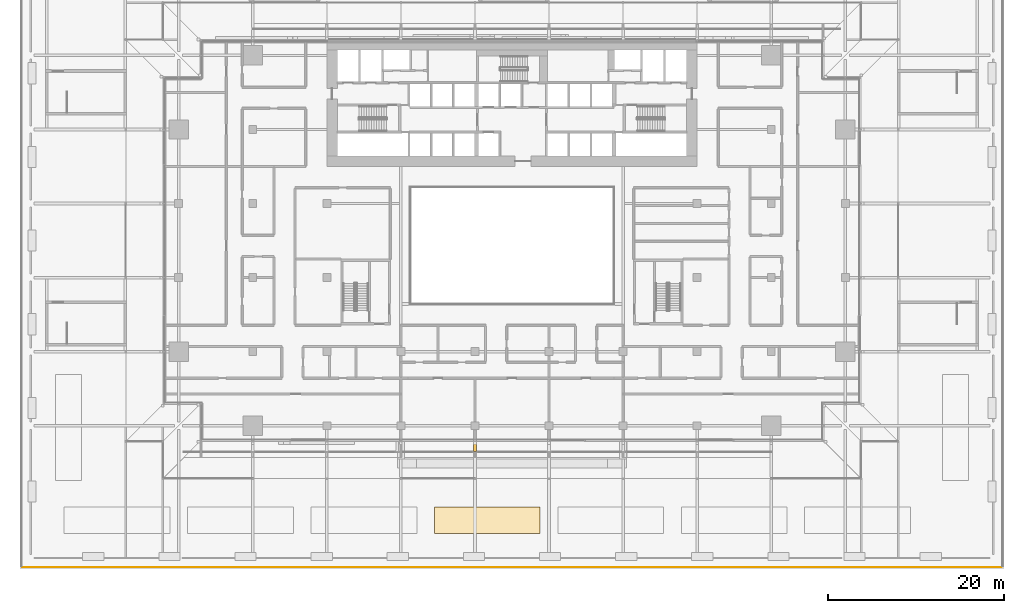
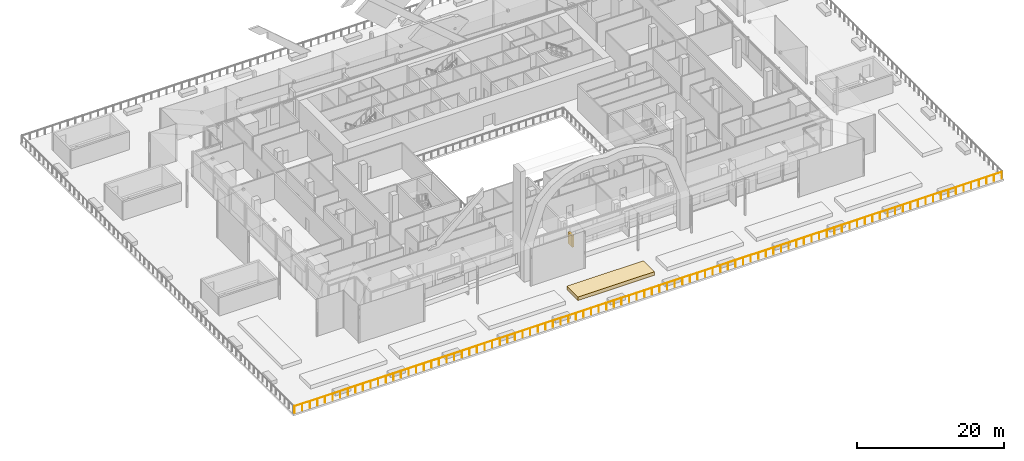
# One storey, part 34 of 60: 2 coverings, 1 railing.
"""IFC4 building model written with IfcOpenShell, lengths in metres."""

from ifc_helpers import new_model, si_unit, direction, frame, origin, origin_2d, place, context, subcontext, project, spatial, polyline, rectangle, circle, outline, extrude, material, layer, layer_set, type_object, element, save


model = new_model("IFC4")

# Units and contexts
model_context = context("Model", 3, precision=1e-05, world=origin(), true_north=direction((0.0, 1.0)))
body_context = subcontext(model_context, "Body", "Model", "MODEL_VIEW")
ifc_project = project(units=[si_unit("LENGTHUNIT", "METRE"), si_unit("AREAUNIT", "SQUARE_METRE"), si_unit("VOLUMEUNIT", "CUBIC_METRE"), si_unit("PLANEANGLEUNIT", "RADIAN"), si_unit("MASSUNIT", "GRAM", prefix="KILO")], contexts=[model_context])

# Site, building, storey
site_placement = place(None, origin())
site = spatial("IfcSite", under=ifc_project, at=site_placement, CompositionType="ELEMENT")
building_placement = place(site_placement, origin())
building = spatial("IfcBuilding", under=site, at=building_placement, Name="Saffron Gate Tower", CompositionType="ELEMENT")
storey_placement = place(building_placement, frame((0.0, 0.0, 19.199951171875)))
storey = spatial("IfcBuildingStorey", under=building, at=storey_placement, Name="L03", CompositionType="ELEMENT", Elevation=19.199951171875)

# Coverings
ifc_material_1 = material(Name="Timber, thermally modified ash", Category="wood")
ifc_layer_1 = layer(ifc_material_1, 0.300048828125)
ifc_layer_set_1 = layer_set([ifc_layer_1], Name="LD3 ledge riser fin")
covering_type_1 = type_object("IfcCoveringType", Name="LD3 ledge riser fin", PredefinedType="CLADDING", material=ifc_layer_set_1)
covering_1_placement = place(storey_placement, frame((83.39990234375, 29.43994140625, 1.626220703125), z_axis=(0.0, 0.0, 1.0), x_axis=(1.0, 0.0, 0.0)))
element("IfcCovering", 1, at=covering_1_placement, inside=storey, type_object=covering_type_1, Name="LEDGE riser fin", PredefinedType="CLADDING", context=body_context, shape_type="SweptSolid", body=[
    extrude(rectangle(XDim=0.300048828125, YDim=1.1201171875, at=origin_2d()), origin(), (0.0, 0.0, 1.0), 1.93115234375),
])
ifc_material_2 = material(Name="Planted soil bed in timber kerb", Category="wood")
ifc_layer_2 = layer(ifc_material_2, 0.60009765625)
ifc_layer_set_2 = layer_set([ifc_layer_2], Name="PL2 planted bed")
covering_type_2 = type_object("IfcCoveringType", Name="PL2 planted bed", PredefinedType="CLADDING", material=ifc_layer_set_2)
covering_2_placement = place(storey_placement, origin())
element("IfcCovering", 2, at=covering_2_placement, inside=storey, type_object=covering_type_2, Name="PLANTED BED play deck", PredefinedType="CLADDING", context=body_context, shape_type="SweptSolid", body=[
    extrude(outline(polyline([(78.800048828125, 19.60009765625), (90.800048828125, 19.60009765625), (90.800048828125, 22.60009765625), (78.800048828125, 22.60009765625), (78.800048828125, 19.60009765625)])), origin(), (0.0, 0.0, 1.0), 0.60009765625),
])

# Railing
railing_placement = place(storey_placement, frame((32.070068359375, 15.75, 0.0)))
element("IfcRailing", 3, at=railing_placement, inside=storey, Name="GUARD play deck", PredefinedType="GUARDRAIL", context=body_context, shape_type="SweptSolid", body=[
    extrude(circle(Radius=0.02392578125, at=origin_2d()), frame((0.0, 0.0, 1.17578125), z_axis=(1.0, 0.0, 0.0), x_axis=(0.0, 1.0, 0.0)), (0.0, 0.0, 1.0), 111.059814453125),
    extrude(circle(Radius=0.02099609375, at=origin_2d()), origin(), (0.0, 0.0, 1.0), 1.15185546875),
    extrude(circle(Radius=0.02099609375, at=origin_2d()), frame((1.194091796875, 0.0, 0.0)), (0.0, 0.0, 1.0), 1.15185546875),
    extrude(circle(Radius=0.02099609375, at=origin_2d()), frame((2.388427734375, 0.0, 0.0)), (0.0, 0.0, 1.0), 1.15185546875),
    extrude(circle(Radius=0.02099609375, at=origin_2d()), frame((3.58251953125, 0.0, 0.0)), (0.0, 0.0, 1.0), 1.15185546875),
    extrude(circle(Radius=0.02099609375, at=origin_2d()), frame((4.77685546875, 0.0, 0.0)), (0.0, 0.0, 1.0), 1.15185546875),
    extrude(circle(Radius=0.02099609375, at=origin_2d()), frame((5.970947265625, 0.0, 0.0)), (0.0, 0.0, 1.0), 1.15185546875),
    extrude(circle(Radius=0.02099609375, at=origin_2d()), frame((7.1650390625, 0.0, 0.0)), (0.0, 0.0, 1.0), 1.15185546875),
    extrude(circle(Radius=0.02099609375, at=origin_2d()), frame((8.359375, 0.0, 0.0)), (0.0, 0.0, 1.0), 1.15185546875),
    extrude(circle(Radius=0.02099609375, at=origin_2d()), frame((9.553466796875, 0.0, 0.0)), (0.0, 0.0, 1.0), 1.15185546875),
    extrude(circle(Radius=0.02099609375, at=origin_2d()), frame((10.747802734375, 0.0, 0.0)), (0.0, 0.0, 1.0), 1.15185546875),
    extrude(circle(Radius=0.02099609375, at=origin_2d()), frame((11.94189453125, 0.0, 0.0)), (0.0, 0.0, 1.0), 1.15185546875),
    extrude(circle(Radius=0.02099609375, at=origin_2d()), frame((13.135986328125, 0.0, 0.0)), (0.0, 0.0, 1.0), 1.15185546875),
    extrude(circle(Radius=0.02099609375, at=origin_2d()), frame((14.330322265625, 0.0, 0.0)), (0.0, 0.0, 1.0), 1.15185546875),
    extrude(circle(Radius=0.02099609375, at=origin_2d()), frame((15.5244140625, 0.0, 0.0)), (0.0, 0.0, 1.0), 1.15185546875),
    extrude(circle(Radius=0.02099609375, at=origin_2d()), frame((16.71875, 0.0, 0.0)), (0.0, 0.0, 1.0), 1.15185546875),
    extrude(circle(Radius=0.02099609375, at=origin_2d()), frame((17.912841796875, 0.0, 0.0)), (0.0, 0.0, 1.0), 1.15185546875),
    extrude(circle(Radius=0.02099609375, at=origin_2d()), frame((19.107177734375, 0.0, 0.0)), (0.0, 0.0, 1.0), 1.15185546875),
    extrude(circle(Radius=0.02099609375, at=origin_2d()), frame((20.30126953125, 0.0, 0.0)), (0.0, 0.0, 1.0), 1.15185546875),
    extrude(circle(Radius=0.02099609375, at=origin_2d()), frame((21.495361328125, 0.0, 0.0)), (0.0, 0.0, 1.0), 1.15185546875),
    extrude(circle(Radius=0.02099609375, at=origin_2d()), frame((22.689697265625, 0.0, 0.0)), (0.0, 0.0, 1.0), 1.15185546875),
    extrude(circle(Radius=0.02099609375, at=origin_2d()), frame((23.8837890625, 0.0, 0.0)), (0.0, 0.0, 1.0), 1.15185546875),
    extrude(circle(Radius=0.02099609375, at=origin_2d()), frame((25.078125, 0.0, 0.0)), (0.0, 0.0, 1.0), 1.15185546875),
    extrude(circle(Radius=0.02099609375, at=origin_2d()), frame((26.272216796875, 0.0, 0.0)), (0.0, 0.0, 1.0), 1.15185546875),
    extrude(circle(Radius=0.02099609375, at=origin_2d()), frame((27.46630859375, 0.0, 0.0)), (0.0, 0.0, 1.0), 1.15185546875),
    extrude(circle(Radius=0.02099609375, at=origin_2d()), frame((28.66064453125, 0.0, 0.0)), (0.0, 0.0, 1.0), 1.15185546875),
    extrude(circle(Radius=0.02099609375, at=origin_2d()), frame((29.854736328125, 0.0, 0.0)), (0.0, 0.0, 1.0), 1.15185546875),
    extrude(circle(Radius=0.02099609375, at=origin_2d()), frame((31.049072265625, 0.0, 0.0)), (0.0, 0.0, 1.0), 1.15185546875),
    extrude(circle(Radius=0.02099609375, at=origin_2d()), frame((32.2431640625, 0.0, 0.0)), (0.0, 0.0, 1.0), 1.15185546875),
    extrude(circle(Radius=0.02099609375, at=origin_2d()), frame((33.437255859375, 0.0, 0.0)), (0.0, 0.0, 1.0), 1.15185546875),
    extrude(circle(Radius=0.02099609375, at=origin_2d()), frame((34.631591796875, 0.0, 0.0)), (0.0, 0.0, 1.0), 1.15185546875),
    extrude(circle(Radius=0.02099609375, at=origin_2d()), frame((35.82568359375, 0.0, 0.0)), (0.0, 0.0, 1.0), 1.15185546875),
    extrude(circle(Radius=0.02099609375, at=origin_2d()), frame((37.02001953125, 0.0, 0.0)), (0.0, 0.0, 1.0), 1.15185546875),
    extrude(circle(Radius=0.02099609375, at=origin_2d()), frame((38.214111328125, 0.0, 0.0)), (0.0, 0.0, 1.0), 1.15185546875),
    extrude(circle(Radius=0.02099609375, at=origin_2d()), frame((39.408203125, 0.0, 0.0)), (0.0, 0.0, 1.0), 1.15185546875),
    extrude(circle(Radius=0.02099609375, at=origin_2d()), frame((40.6025390625, 0.0, 0.0)), (0.0, 0.0, 1.0), 1.15185546875),
    extrude(circle(Radius=0.02099609375, at=origin_2d()), frame((41.796630859375, 0.0, 0.0)), (0.0, 0.0, 1.0), 1.15185546875),
    extrude(circle(Radius=0.02099609375, at=origin_2d()), frame((42.990966796875, 0.0, 0.0)), (0.0, 0.0, 1.0), 1.15185546875),
    extrude(circle(Radius=0.02099609375, at=origin_2d()), frame((44.18505859375, 0.0, 0.0)), (0.0, 0.0, 1.0), 1.15185546875),
    extrude(circle(Radius=0.02099609375, at=origin_2d()), frame((45.37939453125, 0.0, 0.0)), (0.0, 0.0, 1.0), 1.15185546875),
    extrude(circle(Radius=0.02099609375, at=origin_2d()), frame((46.573486328125, 0.0, 0.0)), (0.0, 0.0, 1.0), 1.15185546875),
    extrude(circle(Radius=0.02099609375, at=origin_2d()), frame((47.767578125, 0.0, 0.0)), (0.0, 0.0, 1.0), 1.15185546875),
    extrude(circle(Radius=0.02099609375, at=origin_2d()), frame((48.9619140625, 0.0, 0.0)), (0.0, 0.0, 1.0), 1.15185546875),
    extrude(circle(Radius=0.02099609375, at=origin_2d()), frame((50.156005859375, 0.0, 0.0)), (0.0, 0.0, 1.0), 1.15185546875),
    extrude(circle(Radius=0.02099609375, at=origin_2d()), frame((51.350341796875, 0.0, 0.0)), (0.0, 0.0, 1.0), 1.15185546875),
    extrude(circle(Radius=0.02099609375, at=origin_2d()), frame((52.54443359375, 0.0, 0.0)), (0.0, 0.0, 1.0), 1.15185546875),
    extrude(circle(Radius=0.02099609375, at=origin_2d()), frame((53.738525390625, 0.0, 0.0)), (0.0, 0.0, 1.0), 1.15185546875),
    extrude(circle(Radius=0.02099609375, at=origin_2d()), frame((54.932861328125, 0.0, 0.0)), (0.0, 0.0, 1.0), 1.15185546875),
    extrude(circle(Radius=0.02099609375, at=origin_2d()), frame((56.126953125, 0.0, 0.0)), (0.0, 0.0, 1.0), 1.15185546875),
    extrude(circle(Radius=0.02099609375, at=origin_2d()), frame((57.3212890625, 0.0, 0.0)), (0.0, 0.0, 1.0), 1.15185546875),
    extrude(circle(Radius=0.02099609375, at=origin_2d()), frame((58.515380859375, 0.0, 0.0)), (0.0, 0.0, 1.0), 1.15185546875),
    extrude(circle(Radius=0.02099609375, at=origin_2d()), frame((59.70947265625, 0.0, 0.0)), (0.0, 0.0, 1.0), 1.15185546875),
    extrude(circle(Radius=0.02099609375, at=origin_2d()), frame((60.90380859375, 0.0, 0.0)), (0.0, 0.0, 1.0), 1.15185546875),
    extrude(circle(Radius=0.02099609375, at=origin_2d()), frame((62.097900390625, 0.0, 0.0)), (0.0, 0.0, 1.0), 1.15185546875),
    extrude(circle(Radius=0.02099609375, at=origin_2d()), frame((63.292236328125, 0.0, 0.0)), (0.0, 0.0, 1.0), 1.15185546875),
    extrude(circle(Radius=0.02099609375, at=origin_2d()), frame((64.486328125, 0.0, 0.0)), (0.0, 0.0, 1.0), 1.15185546875),
    extrude(circle(Radius=0.02099609375, at=origin_2d()), frame((65.680419921875, 0.0, 0.0)), (0.0, 0.0, 1.0), 1.15185546875),
    extrude(circle(Radius=0.02099609375, at=origin_2d()), frame((66.874755859375, 0.0, 0.0)), (0.0, 0.0, 1.0), 1.15185546875),
    extrude(circle(Radius=0.02099609375, at=origin_2d()), frame((68.06884765625, 0.0, 0.0)), (0.0, 0.0, 1.0), 1.15185546875),
    extrude(circle(Radius=0.02099609375, at=origin_2d()), frame((69.26318359375, 0.0, 0.0)), (0.0, 0.0, 1.0), 1.15185546875),
    extrude(circle(Radius=0.02099609375, at=origin_2d()), frame((70.457275390625, 0.0, 0.0)), (0.0, 0.0, 1.0), 1.15185546875),
    extrude(circle(Radius=0.02099609375, at=origin_2d()), frame((71.651611328125, 0.0, 0.0)), (0.0, 0.0, 1.0), 1.15185546875),
    extrude(circle(Radius=0.02099609375, at=origin_2d()), frame((72.845703125, 0.0, 0.0)), (0.0, 0.0, 1.0), 1.15185546875),
    extrude(circle(Radius=0.02099609375, at=origin_2d()), frame((74.039794921875, 0.0, 0.0)), (0.0, 0.0, 1.0), 1.15185546875),
    extrude(circle(Radius=0.02099609375, at=origin_2d()), frame((75.234130859375, 0.0, 0.0)), (0.0, 0.0, 1.0), 1.15185546875),
    extrude(circle(Radius=0.02099609375, at=origin_2d()), frame((76.42822265625, 0.0, 0.0)), (0.0, 0.0, 1.0), 1.15185546875),
    extrude(circle(Radius=0.02099609375, at=origin_2d()), frame((77.62255859375, 0.0, 0.0)), (0.0, 0.0, 1.0), 1.15185546875),
    extrude(circle(Radius=0.02099609375, at=origin_2d()), frame((78.816650390625, 0.0, 0.0)), (0.0, 0.0, 1.0), 1.15185546875),
    extrude(circle(Radius=0.02099609375, at=origin_2d()), frame((80.0107421875, 0.0, 0.0)), (0.0, 0.0, 1.0), 1.15185546875),
    extrude(circle(Radius=0.02099609375, at=origin_2d()), frame((81.205078125, 0.0, 0.0)), (0.0, 0.0, 1.0), 1.15185546875),
    extrude(circle(Radius=0.02099609375, at=origin_2d()), frame((82.399169921875, 0.0, 0.0)), (0.0, 0.0, 1.0), 1.15185546875),
    extrude(circle(Radius=0.02099609375, at=origin_2d()), frame((83.593505859375, 0.0, 0.0)), (0.0, 0.0, 1.0), 1.15185546875),
    extrude(circle(Radius=0.02099609375, at=origin_2d()), frame((84.78759765625, 0.0, 0.0)), (0.0, 0.0, 1.0), 1.15185546875),
    extrude(circle(Radius=0.02099609375, at=origin_2d()), frame((85.981689453125, 0.0, 0.0)), (0.0, 0.0, 1.0), 1.15185546875),
    extrude(circle(Radius=0.02099609375, at=origin_2d()), frame((87.176025390625, 0.0, 0.0)), (0.0, 0.0, 1.0), 1.15185546875),
    extrude(circle(Radius=0.02099609375, at=origin_2d()), frame((88.3701171875, 0.0, 0.0)), (0.0, 0.0, 1.0), 1.15185546875),
    extrude(circle(Radius=0.02099609375, at=origin_2d()), frame((89.564453125, 0.0, 0.0)), (0.0, 0.0, 1.0), 1.15185546875),
    extrude(circle(Radius=0.02099609375, at=origin_2d()), frame((90.758544921875, 0.0, 0.0)), (0.0, 0.0, 1.0), 1.15185546875),
    extrude(circle(Radius=0.02099609375, at=origin_2d()), frame((91.95263671875, 0.0, 0.0)), (0.0, 0.0, 1.0), 1.15185546875),
    extrude(circle(Radius=0.02099609375, at=origin_2d()), frame((93.14697265625, 0.0, 0.0)), (0.0, 0.0, 1.0), 1.15185546875),
    extrude(circle(Radius=0.02099609375, at=origin_2d()), frame((94.341064453125, 0.0, 0.0)), (0.0, 0.0, 1.0), 1.15185546875),
    extrude(circle(Radius=0.02099609375, at=origin_2d()), frame((95.535400390625, 0.0, 0.0)), (0.0, 0.0, 1.0), 1.15185546875),
    extrude(circle(Radius=0.02099609375, at=origin_2d()), frame((96.7294921875, 0.0, 0.0)), (0.0, 0.0, 1.0), 1.15185546875),
    extrude(circle(Radius=0.02099609375, at=origin_2d()), frame((97.923828125, 0.0, 0.0)), (0.0, 0.0, 1.0), 1.15185546875),
    extrude(circle(Radius=0.02099609375, at=origin_2d()), frame((99.117919921875, 0.0, 0.0)), (0.0, 0.0, 1.0), 1.15185546875),
    extrude(circle(Radius=0.02099609375, at=origin_2d()), frame((100.31201171875, 0.0, 0.0)), (0.0, 0.0, 1.0), 1.15185546875),
    extrude(circle(Radius=0.02099609375, at=origin_2d()), frame((101.50634765625, 0.0, 0.0)), (0.0, 0.0, 1.0), 1.15185546875),
    extrude(circle(Radius=0.02099609375, at=origin_2d()), frame((102.700439453125, 0.0, 0.0)), (0.0, 0.0, 1.0), 1.15185546875),
    extrude(circle(Radius=0.02099609375, at=origin_2d()), frame((103.894775390625, 0.0, 0.0)), (0.0, 0.0, 1.0), 1.15185546875),
    extrude(circle(Radius=0.02099609375, at=origin_2d()), frame((105.0888671875, 0.0, 0.0)), (0.0, 0.0, 1.0), 1.15185546875),
    extrude(circle(Radius=0.02099609375, at=origin_2d()), frame((106.282958984375, 0.0, 0.0)), (0.0, 0.0, 1.0), 1.15185546875),
    extrude(circle(Radius=0.02099609375, at=origin_2d()), frame((107.477294921875, 0.0, 0.0)), (0.0, 0.0, 1.0), 1.15185546875),
    extrude(circle(Radius=0.02099609375, at=origin_2d()), frame((108.67138671875, 0.0, 0.0)), (0.0, 0.0, 1.0), 1.15185546875),
    extrude(circle(Radius=0.02099609375, at=origin_2d()), frame((109.86572265625, 0.0, 0.0)), (0.0, 0.0, 1.0), 1.15185546875),
    extrude(circle(Radius=0.02099609375, at=origin_2d()), frame((111.059814453125, 0.0, 0.0)), (0.0, 0.0, 1.0), 1.15185546875),
])

save(model, "model.ifc")
